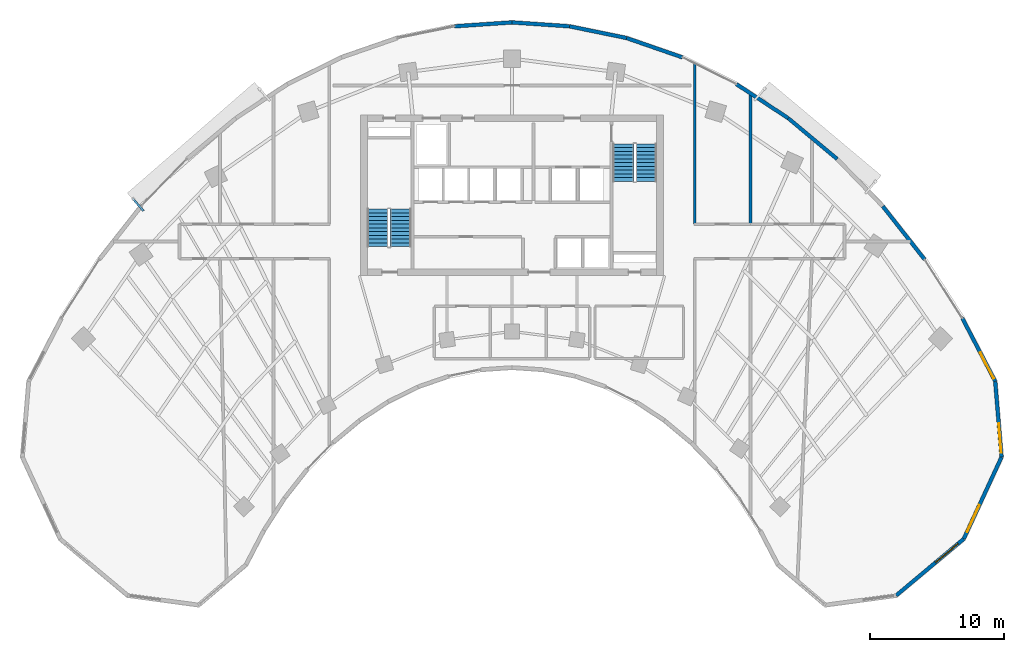
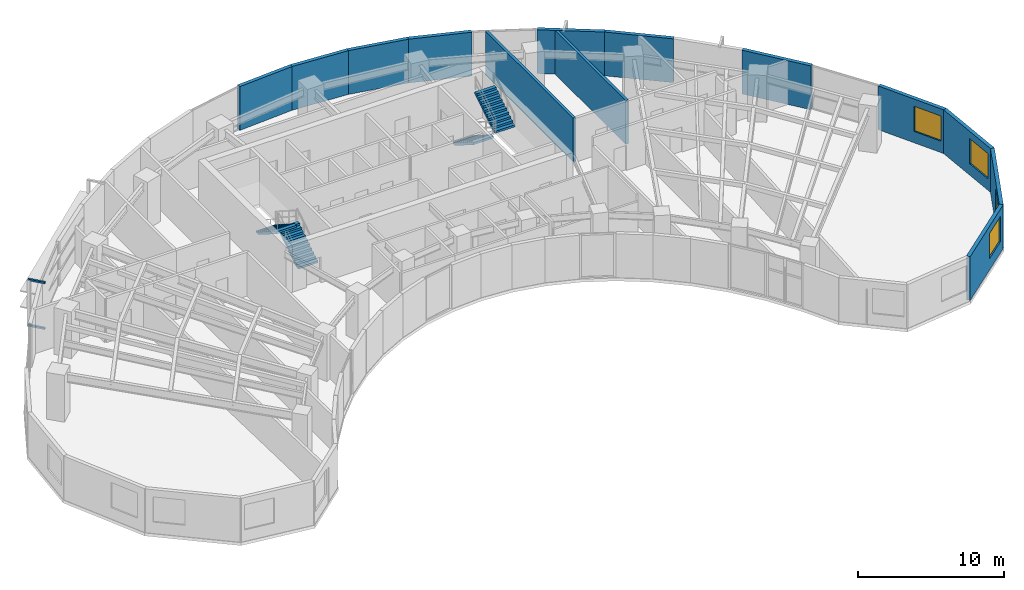
# One storey, part 11 of 14: 13 walls, 4 stair flights, 4 windows, 2 discrete accessories, 4 openings, 2 elements without a shape of their own.
"""IFC4 building model written with IfcOpenShell, lengths in metres."""

from ifc_helpers import new_model, si_unit, direction, frame, frame_2d, origin, origin_2d, place, context, subcontext, project, spatial, polyline, rectangle, outline, extrude, source, transform, mapped, material, layer, layer_set, type_object, type_shapes, element, fill, aggregate, save


model = new_model("IFC4")

# Units and contexts
model_context = context("Model", 3, precision=1e-05, world=origin(), true_north=direction((0.0, 1.0)))
body_context = subcontext(model_context, "Body", "Model", "MODEL_VIEW")
ifc_project = project(units=[si_unit("LENGTHUNIT", "METRE"), si_unit("AREAUNIT", "SQUARE_METRE"), si_unit("VOLUMEUNIT", "CUBIC_METRE"), si_unit("PLANEANGLEUNIT", "RADIAN"), si_unit("MASSUNIT", "GRAM", prefix="KILO")], contexts=[model_context])

# Site, building, storey
site_placement = place(None, origin())
site = spatial("IfcSite", under=ifc_project, at=site_placement, CompositionType="ELEMENT")
building_placement = place(site_placement, origin())
building = spatial("IfcBuilding", under=site, at=building_placement, Name="Breltana Convention Tower", CompositionType="ELEMENT")
storey_placement = place(building_placement, frame((0.0, 0.0, 131.10009765625)))
storey = spatial("IfcBuildingStorey", under=building, at=storey_placement, Name="L31", CompositionType="ELEMENT", Elevation=131.10009765625)

# Wall, opening, window
ifc_material_1 = material(Name="Limestone Buff Insulated Wall", Category="masonry")
ifc_layer_1 = layer(ifc_material_1, 0.280029296875, Name="Limestone Buff Insulated Wall")
ifc_layer_set_1 = layer_set([ifc_layer_1], Name="Limestone Buff Insulated Wall")
wall_type_1 = type_object("IfcWallType", Name="WL-EXT-NOSE-280", PredefinedType="SOLIDWALL", material=ifc_layer_set_1)
shared_shape_1 = source(origin(), body_context, "Body", "SweptSolid", [
    extrude(rectangle(XDim=5.673583984375, YDim=0.280029296875, at=frame_2d((2.8369140625, 0.0))), origin(), (0.0, 0.0, 1.0), 3.64990234375),
])
wall_1_placement = place(storey_placement, frame((84.07763671875, 52.305419921875, 0.0), z_axis=(0.0, 0.0, 1.0), x_axis=(0.083309007867, -0.996523762491, 0.0)))
wall_1 = element("IfcWall", 1, at=wall_1_placement, inside=storey, type_object=wall_type_1, Name="L31 curved limestone nose wall E1", PredefinedType="SOLIDWALL", context=body_context, shape_type="MappedRepresentation", body=[
    mapped(shared_shape_1, transform((0.0, 0.0, 0.0), scale=1.0)),
])
opening_1_placement = place(wall_1_placement, frame((3.155029296875, 0.0, 0.949951171875)))
opening_1 = element("IfcOpeningElement", 2, at=opening_1_placement, cuts=wall_1, Name="Opening W-03", PredefinedType="OPENING", context=body_context, shape_type="SweptSolid", body=[
    extrude(rectangle(XDim=2.199951171875, YDim=2.10009765625, at=frame_2d((1.10009765625, 1.050048828125))), frame((0.0, 0.14990234375, 0.0), z_axis=(0.0, -1.0, 0.0), x_axis=(1.0, 0.0, 0.0)), (0.0, 0.0, 1.0), 0.300048828125),
])
ifc_material_2 = material(Name="Glass Low-E Insulated Window", Category="glass")
window_type = type_object("IfcWindowType", Name="WN-NOSE-2200X2100", PartitioningType="TRIPLE_PANEL_VERTICAL", PredefinedType="WINDOW", material=ifc_material_2)
shared_shape_2 = source(origin(), body_context, "Body", "SweptSolid", [
    extrude(rectangle(XDim=2.199951171875, YDim=2.10009765625, at=frame_2d((1.10009765625, 1.050048828125))), frame((0.0, 0.030029296875, 0.0), z_axis=(0.0, -1.0, 0.0), x_axis=(1.0, 0.0, 0.0)), (0.0, 0.0, 1.0), 0.06005859375),
])
type_shapes(window_type, [shared_shape_2])
window_1_placement = place(opening_1_placement, origin())
window_1 = element("IfcWindow", 3, at=window_1_placement, inside=storey, type_object=window_type, Name="L31 nose window E1", OverallHeight=2.10009765625, OverallWidth=2.199951171875, PartitioningType="TRIPLE_PANEL_VERTICAL", PredefinedType="WINDOW", context=body_context, shape_type="MappedRepresentation", body=[
    mapped(shared_shape_2, transform((0.0, 0.0, 0.0), scale=1.0)),
])
fill(opening_1, window_1)

shared_shape_3 = source(origin(), body_context, "Body", "SweptSolid", [
    extrude(rectangle(XDim=6.731689453125, YDim=0.280029296875, at=frame_2d((3.36572265625, 0.0))), origin(), (0.0, 0.0, 1.0), 3.64990234375),
])
wall_2_placement = place(storey_placement, frame((84.55029296875, 46.651611328125, 0.0), z_axis=(0.0, 0.0, 1.0), x_axis=(-0.419644552709, -0.907688520023, 0.0)))
wall_2 = element("IfcWall", 4, at=wall_2_placement, inside=storey, type_object=wall_type_1, Name="L31 curved limestone nose wall E2", PredefinedType="SOLIDWALL", context=body_context, shape_type="MappedRepresentation", body=[
    mapped(shared_shape_3, transform((0.0, 0.0, 0.0), scale=1.0)),
])
opening_2_placement = place(wall_2_placement, frame((3.948974609375, 0.0, 0.949951171875)))
opening_2 = element("IfcOpeningElement", 5, at=opening_2_placement, cuts=wall_2, Name="Opening W-03", PredefinedType="OPENING", context=body_context, shape_type="SweptSolid", body=[
    extrude(rectangle(XDim=2.199951171875, YDim=2.10009765625, at=frame_2d((1.10009765625, 1.050048828125))), frame((0.0, 0.14990234375, 0.0), z_axis=(0.0, -1.0, 0.0), x_axis=(1.0, 0.0, 0.0)), (0.0, 0.0, 1.0), 0.300048828125),
])
window_2_placement = place(opening_2_placement, origin())
window_2 = element("IfcWindow", 6, at=window_2_placement, inside=storey, type_object=window_type, Name="L31 nose window E2", OverallHeight=2.10009765625, OverallWidth=2.199951171875, PartitioningType="TRIPLE_PANEL_VERTICAL", PredefinedType="WINDOW", context=body_context, shape_type="MappedRepresentation", body=[
    mapped(shared_shape_2, transform((0.0, 0.0, 0.0), scale=1.0)),
])
fill(opening_2, window_2)

shared_shape_4 = source(origin(), body_context, "Body", "SweptSolid", [
    extrude(rectangle(XDim=6.572998046875, YDim=0.280029296875, at=frame_2d((3.28662109375, 0.0))), origin(), (0.0, 0.0, 1.0), 3.64990234375),
])
wall_3_placement = place(storey_placement, frame((81.725341796875, 40.541259765625, 0.0), z_axis=(0.0, 0.0, 1.0), x_axis=(-0.766715154163, -0.641987439423, 0.0)))
wall_3 = element("IfcWall", 7, at=wall_3_placement, inside=storey, type_object=wall_type_1, Name="L31 curved limestone nose wall E3", PredefinedType="SOLIDWALL", context=body_context, shape_type="MappedRepresentation", body=[
    mapped(shared_shape_4, transform((0.0, 0.0, 0.0), scale=1.0)),
])
opening_3_placement = place(wall_3_placement, frame((0.543212890625, 0.0, 0.949951171875)))
opening_3 = element("IfcOpeningElement", 8, at=opening_3_placement, cuts=wall_3, Name="Opening W-03", PredefinedType="OPENING", context=body_context, shape_type="SweptSolid", body=[
    extrude(rectangle(XDim=2.199951171875, YDim=2.10009765625, at=frame_2d((1.10009765625, 1.050048828125))), frame((0.0, 0.14990234375, 0.0), z_axis=(0.0, -1.0, 0.0), x_axis=(1.0, 0.0, 0.0)), (0.0, 0.0, 1.0), 0.300048828125),
])
window_3_placement = place(opening_3_placement, origin())
window_3 = element("IfcWindow", 9, at=window_3_placement, inside=storey, type_object=window_type, Name="L31 nose window E3", OverallHeight=2.10009765625, OverallWidth=2.199951171875, PartitioningType="TRIPLE_PANEL_VERTICAL", PredefinedType="WINDOW", context=body_context, shape_type="MappedRepresentation", body=[
    mapped(shared_shape_2, transform((0.0, 0.0, 0.0), scale=1.0)),
])
fill(opening_3, window_3)

shared_shape_5 = source(origin(), body_context, "Body", "SweptSolid", [
    extrude(rectangle(XDim=5.315185546875, YDim=0.280029296875, at=frame_2d((2.65771484375, 0.0))), origin(), (0.0, 0.0, 1.0), 3.64990234375),
])
wall_4_placement = place(storey_placement, frame((81.623291015625, 57.02001953125, 0.0), z_axis=(0.0, 0.0, 1.0), x_axis=(0.461760527822, -0.887004630735, 0.0)))
wall_4 = element("IfcWall", 10, at=wall_4_placement, inside=storey, type_object=wall_type_1, Name="L31 curved limestone nose wall E33", PredefinedType="SOLIDWALL", context=body_context, shape_type="MappedRepresentation", body=[
    mapped(shared_shape_5, transform((0.0, 0.0, 0.0), scale=1.0)),
])
opening_4_placement = place(wall_4_placement, frame((2.886474609375, 0.0, 0.949951171875)))
opening_4 = element("IfcOpeningElement", 11, at=opening_4_placement, cuts=wall_4, Name="Opening W-03", PredefinedType="OPENING", context=body_context, shape_type="SweptSolid", body=[
    extrude(rectangle(XDim=2.199951171875, YDim=2.10009765625, at=frame_2d((1.10009765625, 1.050048828125))), frame((0.0, 0.14990234375, 0.0), z_axis=(0.0, -1.0, 0.0), x_axis=(1.0, 0.0, 0.0)), (0.0, 0.0, 1.0), 0.300048828125),
])
window_4_placement = place(opening_4_placement, origin())
window_4 = element("IfcWindow", 12, at=window_4_placement, inside=storey, type_object=window_type, Name="L31 nose window E33", OverallHeight=2.10009765625, OverallWidth=2.199951171875, PartitioningType="TRIPLE_PANEL_VERTICAL", PredefinedType="WINDOW", context=body_context, shape_type="MappedRepresentation", body=[
    mapped(shared_shape_2, transform((0.0, 0.0, 0.0), scale=1.0)),
])
fill(opening_4, window_4)

# Walls
shared_shape_6 = source(origin(), body_context, "Body", "SweptSolid", [
    extrude(rectangle(XDim=5.05810546875, YDim=0.280029296875, at=frame_2d((2.529052734375, 0.0))), origin(), (0.0, 0.0, 1.0), 3.64990234375),
])
wall_5_placement = place(storey_placement, frame((75.684814453125, 65.37646484375, 0.0), z_axis=(0.0, 0.0, 1.0), x_axis=(0.618145507434, -0.786063694391, 0.0)))
element("IfcWall", 13, at=wall_5_placement, inside=storey, type_object=wall_type_1, Name="L31 curved limestone nose wall E32", PredefinedType="SOLIDWALL", context=body_context, shape_type="MappedRepresentation", body=[
    mapped(shared_shape_6, transform((0.0, 0.0, 0.0), scale=1.0)),
])
shared_shape_7 = source(origin(), body_context, "Body", "SweptSolid", [
    extrude(rectangle(XDim=4.76220703125, YDim=0.280029296875, at=frame_2d((2.381103515625, 0.0))), origin(), (0.0, 0.0, 1.0), 3.64990234375),
])
wall_6_placement = place(storey_placement, frame((68.6181640625, 71.957763671875, 0.0), z_axis=(0.0, 0.0, 1.0), x_axis=(0.767952279762, -0.640507061638, 0.0)))
element("IfcWall", 14, at=wall_6_placement, inside=storey, type_object=wall_type_1, Name="L31 curved limestone nose wall E30", PredefinedType="SOLIDWALL", context=body_context, shape_type="MappedRepresentation", body=[
    mapped(shared_shape_7, transform((0.0, 0.0, 0.0), scale=1.0)),
])
shared_shape_8 = source(origin(), body_context, "Body", "SweptSolid", [
    extrude(rectangle(XDim=4.625732421875, YDim=0.280029296875, at=frame_2d((2.31298828125, 0.0))), origin(), (0.0, 0.0, 1.0), 3.64990234375),
])
wall_7_placement = place(storey_placement, frame((64.751220703125, 74.496337890625, 0.0), z_axis=(0.0, 0.0, 1.0), x_axis=(0.83595938331, -0.548791316855, 0.0)))
element("IfcWall", 15, at=wall_7_placement, inside=storey, type_object=wall_type_1, Name="L31 curved limestone nose wall E29", PredefinedType="SOLIDWALL", context=body_context, shape_type="MappedRepresentation", body=[
    mapped(shared_shape_8, transform((0.0, 0.0, 0.0), scale=1.0)),
])
shared_shape_9 = source(origin(), body_context, "Body", "SweptSolid", [
    extrude(rectangle(XDim=4.408935546875, YDim=0.280029296875, at=frame_2d((2.20458984375, 0.0))), origin(), (0.0, 0.0, 1.0), 3.64990234375),
])
wall_8_placement = place(storey_placement, frame((56.54833984375, 77.94091796875, 0.0), z_axis=(0.0, 0.0, 1.0), x_axis=(0.944879374121, -0.327418643881, 0.0)))
element("IfcWall", 16, at=wall_8_placement, inside=storey, type_object=wall_type_1, Name="L31 curved limestone nose wall E28", PredefinedType="SOLIDWALL", context=body_context, shape_type="MappedRepresentation", body=[
    mapped(shared_shape_9, transform((0.0, 0.0, 0.0), scale=1.0)),
])
shared_shape_10 = source(origin(), body_context, "Body", "SweptSolid", [
    extrude(rectangle(XDim=4.3408203125, YDim=0.280029296875, at=frame_2d((2.17041015625, 0.0))), origin(), (0.0, 0.0, 1.0), 3.64990234375),
])
wall_9_placement = place(storey_placement, frame((52.2958984375, 78.81298828125, 0.0), z_axis=(0.0, 0.0, 1.0), x_axis=(0.979612918634, -0.20089432457, 0.0)))
element("IfcWall", 17, at=wall_9_placement, inside=storey, type_object=wall_type_1, Name="L31 curved limestone nose wall E27", PredefinedType="SOLIDWALL", context=body_context, shape_type="MappedRepresentation", body=[
    mapped(shared_shape_10, transform((0.0, 0.0, 0.0), scale=1.0)),
])
shared_shape_11 = source(origin(), body_context, "Body", "SweptSolid", [
    extrude(rectangle(XDim=4.3056640625, YDim=0.280029296875, at=frame_2d((2.15283203125, 0.0))), origin(), (0.0, 0.0, 1.0), 3.64990234375),
])
for number, where, z_axis, x_axis, name in (
    (18, (43.7041015625, 78.81298828125, 0.0), (0.0, 0.0, 1.0), (0.997705679258, 0.067700646797, 0.0), "L31 curved limestone nose wall E25"),
    (19, (48.0, 79.1044921875, 0.0), (0.0, 0.0, 1.0), (0.997705679258, -0.067700646797, 0.0), "L31 curved limestone nose wall E26"),
):
    element("IfcWall", number, at=place(storey_placement, frame(where, z_axis=z_axis, x_axis=x_axis)), inside=storey, type_object=wall_type_1, Name=name, PredefinedType="SOLIDWALL", context=body_context, shape_type="MappedRepresentation", body=[
        mapped(shared_shape_11, transform((0.0, 0.0, 0.0), scale=1.0)),
    ])
ifc_material_3 = material(Name="Autoclaved Aerated Masonry Blockwork", Category="masonry")
ifc_layer_2 = layer(ifc_material_3, 0.2099609375, Name="Autoclaved Aerated Masonry Blockwork")
ifc_layer_set_2 = layer_set([ifc_layer_2], Name="Autoclaved Aerated Masonry Blockwork")
wall_type_2 = type_object("IfcWallType", Name="WL-PART-200", PredefinedType="PARTITIONING", material=ifc_layer_set_2)
shared_shape_12 = source(origin(), body_context, "Body", "SweptSolid", [
    extrude(rectangle(XDim=9.73583984375, YDim=0.2099609375, at=frame_2d((4.867919921875, 0.0))), origin(), (0.0, 0.0, 1.0), 3.64990234375),
])
wall_10_placement = place(storey_placement, frame((65.800048828125, 64.06005859375, 0.0), z_axis=(0.0, 0.0, 1.0), x_axis=(0.0, 1.0, 0.0)))
element("IfcWall", 20, at=wall_10_placement, inside=storey, type_object=wall_type_2, Name="L31 interior partition W-L31-ZEN1-E", PredefinedType="PARTITIONING", context=body_context, shape_type="MappedRepresentation", body=[
    mapped(shared_shape_12, transform((0.0, 0.0, 0.0), scale=1.0)),
])
shared_shape_13 = source(origin(), body_context, "Body", "SweptSolid", [
    extrude(rectangle(XDim=11.9873046875, YDim=0.2099609375, at=frame_2d((5.99365234375, 0.0))), origin(), (0.0, 0.0, 1.0), 3.64990234375),
])
wall_11_placement = place(storey_placement, frame((61.639892578125, 64.0400390625, 0.0), z_axis=(0.0, 0.0, 1.0), x_axis=(0.0, 1.0, 0.0)))
element("IfcWall", 21, at=wall_11_placement, inside=storey, type_object=wall_type_2, Name="L31 interior partition W-L31-ZODD-EN", PredefinedType="PARTITIONING", context=body_context, shape_type="MappedRepresentation", body=[
    mapped(shared_shape_13, transform((0.0, 0.0, 0.0), scale=1.0)),
])

# Stair, stair flights
ifc_material_4 = material(Name="Concrete C40/50", Category="concrete")
stair_type = type_object("IfcStairType", Name="ST-DOG-1560-R177", PredefinedType="HALF_TURN_STAIR", material=ifc_material_4)
stair_1_placement = place(storey_placement, origin())
stair_1 = element("IfcStair", 22, at=stair_1_placement, inside=storey, type_object=stair_type, Name="L31 Protected Core Exit Stair ST-1", PredefinedType="HALF_TURN_STAIR")
stair_flight_type = type_object("IfcStairFlightType", Name="STF-DOG-1560-N11-R177", PredefinedType="STRAIGHT", material=ifc_material_4)
stair_flight_1_placement = place(storey_placement, frame((39.68994140625, 62.360107421875, 0.0), z_axis=(0.0, 0.0, 1.0), x_axis=(0.0, 1.0, 0.0)))
stair_flight_1 = element("IfcStairFlight", 23, at=stair_flight_1_placement, type_object=stair_flight_type, Name="ST-1 flight 1", NumberOfRisers=11, NumberOfTreads=10, PredefinedType="STRAIGHT", RiserHeight=0.177272727, TreadLength=0.28, context=body_context, shape_type="SweptSolid", body=[
    extrude(outline(polyline([(0.0, 0.0), (0.0, 0.17724609375), (0.280029296875, 0.17724609375), (0.280029296875, 0.3544921875), (0.56005859375, 0.3544921875), (0.56005859375, 0.53173828125), (0.840087890625, 0.53173828125), (0.840087890625, 0.708984375), (1.1201171875, 0.708984375), (1.1201171875, 0.886474609375), (1.39990234375, 0.886474609375), (1.39990234375, 1.063720703125), (1.679931640625, 1.063720703125), (1.679931640625, 1.240966796875), (1.9599609375, 1.240966796875), (1.9599609375, 1.418212890625), (2.239990234375, 1.418212890625), (2.239990234375, 1.595458984375), (2.52001953125, 1.595458984375), (2.52001953125, 1.772705078125), (2.800048828125, 1.772705078125), (2.800048828125, 1.949951171875), (2.800048828125, 1.59521484375), (0.2802734375, 0.0), (0.0, 0.0)])), frame((0.0, 0.780029296875, 0.0), z_axis=(0.0, -1.0, 0.0), x_axis=(1.0, 0.0, 0.0)), (0.0, 0.0, 1.0), 1.56005859375),
])
stair_flight_2_placement = place(storey_placement, frame((37.97998046875, 65.159912109375, 1.949951171875), z_axis=(0.0, 0.0, 1.0), x_axis=(0.0, -1.0, 0.0)))
stair_flight_2 = element("IfcStairFlight", 24, at=stair_flight_2_placement, type_object=stair_flight_type, Name="ST-1 flight 2", NumberOfRisers=11, NumberOfTreads=10, PredefinedType="STRAIGHT", RiserHeight=0.177272727, TreadLength=0.28, context=body_context, shape_type="SweptSolid", body=[
    extrude(outline(polyline([(0.0, 0.0), (0.0, 0.17724609375), (0.280029296875, 0.17724609375), (0.280029296875, 0.3544921875), (0.56005859375, 0.3544921875), (0.56005859375, 0.53173828125), (0.840087890625, 0.53173828125), (0.840087890625, 0.708984375), (1.1201171875, 0.708984375), (1.1201171875, 0.886474609375), (1.39990234375, 0.886474609375), (1.39990234375, 1.063720703125), (1.679931640625, 1.063720703125), (1.679931640625, 1.240966796875), (1.9599609375, 1.240966796875), (1.9599609375, 1.418212890625), (2.239990234375, 1.418212890625), (2.239990234375, 1.595458984375), (2.52001953125, 1.595458984375), (2.52001953125, 1.772705078125), (2.800048828125, 1.772705078125), (2.800048828125, 1.949951171875), (2.800048828125, 1.59521484375), (0.2802734375, 0.0), (0.0, 0.0)])), frame((0.0, 0.780029296875, 0.0), z_axis=(0.0, -1.0, 0.0), x_axis=(1.0, 0.0, 0.0)), (0.0, 0.0, 1.0), 1.56005859375),
])
aggregate(stair_1, [stair_flight_1, stair_flight_2])

stair_2_placement = place(storey_placement, origin())
stair_2 = element("IfcStair", 25, at=stair_2_placement, inside=storey, type_object=stair_type, Name="L31 Protected Core Exit Stair ST-2", PredefinedType="HALF_TURN_STAIR")
stair_flight_3_placement = place(storey_placement, frame((56.31005859375, 70.0400390625, 0.0), z_axis=(0.0, 0.0, 1.0), x_axis=(0.0, -1.0, 0.0)))
stair_flight_3 = element("IfcStairFlight", 26, at=stair_flight_3_placement, type_object=stair_flight_type, Name="ST-2 flight 1", NumberOfRisers=11, NumberOfTreads=10, PredefinedType="STRAIGHT", RiserHeight=0.177272727, TreadLength=0.28, context=body_context, shape_type="SweptSolid", body=[
    extrude(outline(polyline([(0.0, 0.0), (0.0, 0.17724609375), (0.280029296875, 0.17724609375), (0.280029296875, 0.3544921875), (0.56005859375, 0.3544921875), (0.56005859375, 0.53173828125), (0.840087890625, 0.53173828125), (0.840087890625, 0.708984375), (1.1201171875, 0.708984375), (1.1201171875, 0.886474609375), (1.39990234375, 0.886474609375), (1.39990234375, 1.063720703125), (1.679931640625, 1.063720703125), (1.679931640625, 1.240966796875), (1.9599609375, 1.240966796875), (1.9599609375, 1.418212890625), (2.239990234375, 1.418212890625), (2.239990234375, 1.595458984375), (2.52001953125, 1.595458984375), (2.52001953125, 1.772705078125), (2.800048828125, 1.772705078125), (2.800048828125, 1.949951171875), (2.800048828125, 1.59521484375), (0.2802734375, 0.0), (0.0, 0.0)])), frame((0.0, 0.780029296875, 0.0), z_axis=(0.0, -1.0, 0.0), x_axis=(1.0, 0.0, 0.0)), (0.0, 0.0, 1.0), 1.56005859375),
])
stair_flight_4_placement = place(storey_placement, frame((58.02001953125, 67.239990234375, 1.949951171875), z_axis=(0.0, 0.0, 1.0), x_axis=(0.0, 1.0, 0.0)))
stair_flight_4 = element("IfcStairFlight", 27, at=stair_flight_4_placement, type_object=stair_flight_type, Name="ST-2 flight 2", NumberOfRisers=11, NumberOfTreads=10, PredefinedType="STRAIGHT", RiserHeight=0.177272727, TreadLength=0.28, context=body_context, shape_type="SweptSolid", body=[
    extrude(outline(polyline([(0.0, 0.0), (0.0, 0.17724609375), (0.280029296875, 0.17724609375), (0.280029296875, 0.3544921875), (0.56005859375, 0.3544921875), (0.56005859375, 0.53173828125), (0.840087890625, 0.53173828125), (0.840087890625, 0.708984375), (1.1201171875, 0.708984375), (1.1201171875, 0.886474609375), (1.39990234375, 0.886474609375), (1.39990234375, 1.063720703125), (1.679931640625, 1.063720703125), (1.679931640625, 1.240966796875), (1.9599609375, 1.240966796875), (1.9599609375, 1.418212890625), (2.239990234375, 1.418212890625), (2.239990234375, 1.595458984375), (2.52001953125, 1.595458984375), (2.52001953125, 1.772705078125), (2.800048828125, 1.772705078125), (2.800048828125, 1.949951171875), (2.800048828125, 1.59521484375), (0.2802734375, 0.0), (0.0, 0.0)])), frame((0.0, 0.780029296875, 0.0), z_axis=(0.0, -1.0, 0.0), x_axis=(1.0, 0.0, 0.0)), (0.0, 0.0, 1.0), 1.56005859375),
])
aggregate(stair_2, [stair_flight_3, stair_flight_4])

# Discrete accessories
ifc_material_5 = material(Name="Steel S355", Category="steel")
discrete_accessory_type = type_object("IfcDiscreteAccessoryType", Name="ACC-DSF-BRACKET-150", PredefinedType="BRACKET", material=ifc_material_5)
shared_shape_14 = source(origin(), body_context, "Body", "SweptSolid", [
    extrude(rectangle(XDim=1.239990234375, YDim=0.14990234375, at=origin_2d()), origin(), (0.0, 0.0, 1.0), 0.139892578125),
])
type_shapes(discrete_accessory_type, [shared_shape_14])
for number, where, z_axis, x_axis, name in (
    (28, (20.080322265625, 65.49853515625, -0.16015625), (0.0, 0.0, 1.0), (-0.656454255701, 0.754365833115, 0.0), "L31 double-skin slab stand-off bracket 1.1B"),
    (29, (20.080322265625, 65.49853515625, 3.64990234375), (0.0, 0.0, 1.0), (-0.656454255701, 0.754365833115, 0.0), "L31 double-skin slab stand-off bracket 1.1T"),
):
    element("IfcDiscreteAccessory", number, at=place(storey_placement, frame(where, z_axis=z_axis, x_axis=x_axis)), inside=storey, type_object=discrete_accessory_type, Name=name, PredefinedType="BRACKET", context=body_context, shape_type="MappedRepresentation", body=[
        mapped(shared_shape_14, transform((0.0, 0.0, 0.0), scale=1.0)),
    ])

save(model, "model.ifc")
